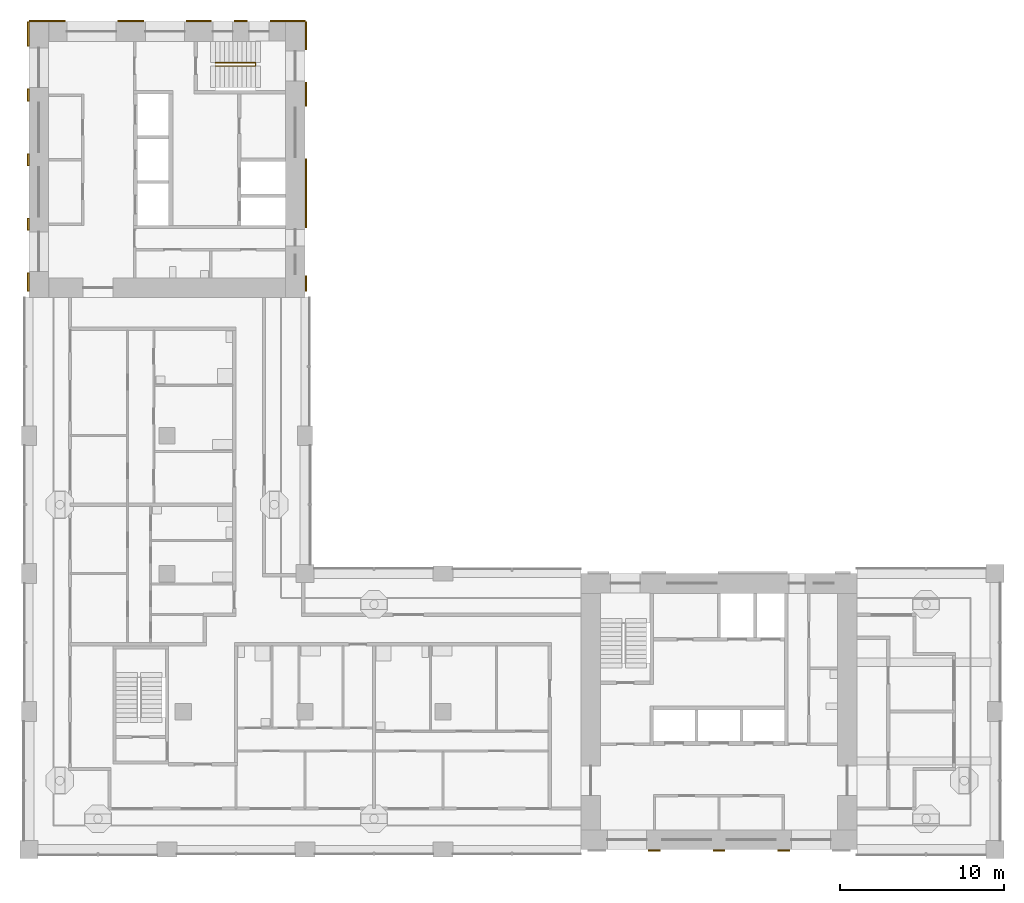
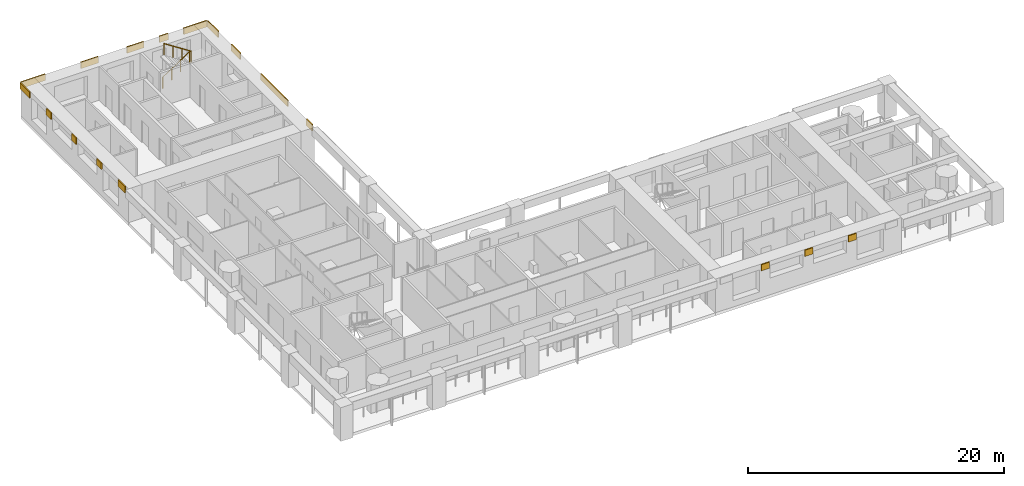
# One storey, part 10 of 13: 17 shading devices, 1 railing.
"""IFC4 building model written with IfcOpenShell, lengths in metres."""

from ifc_helpers import new_model, si_unit, direction, frame, origin, origin_2d, place, context, subcontext, project, spatial, rectangle, circle, extrude, material, layer, layer_set, type_object, element, save


model = new_model("IFC4")

# Units and contexts
model_context = context("Model", 3, precision=1e-05, world=origin(), true_north=direction((0.0, 1.0)))
body_context = subcontext(model_context, "Body", "Model", "MODEL_VIEW")
ifc_project = project(units=[si_unit("LENGTHUNIT", "METRE"), si_unit("AREAUNIT", "SQUARE_METRE"), si_unit("VOLUMEUNIT", "CUBIC_METRE"), si_unit("PLANEANGLEUNIT", "RADIAN"), si_unit("MASSUNIT", "GRAM", prefix="KILO")], contexts=[model_context])

# Site, building, storey
site_placement = place(None, origin())
site = spatial("IfcSite", under=ifc_project, at=site_placement, CompositionType="ELEMENT")
building_placement = place(site_placement, origin())
building = spatial("IfcBuilding", under=site, at=building_placement, Name="Vermilion Gate Residences", CompositionType="ELEMENT")
storey_placement = place(building_placement, frame((0.0, 0.0, 182.699951171875)))
storey = spatial("IfcBuildingStorey", under=building, at=storey_placement, Name="L47", CompositionType="ELEMENT", Elevation=182.699951171875)

# Railing
ifc_material_1 = material(Name="Steel S355", Category="steel")
railing_type = type_object("IfcRailingType", Name="STAIR GUARD 1100 STEEL", PredefinedType="GUARDRAIL", material=ifc_material_1)
railing_placement = place(storey_placement, frame((19.75, 56.300048828125, 0.175048828125)))
element("IfcRailing", 1, at=railing_placement, inside=storey, type_object=railing_type, Name="Stair well guard STB1-47", PredefinedType="GUARDRAIL", context=body_context, shape_type="SweptSolid", body=[
    extrude(circle(Radius=0.02392578125, at=origin_2d()), frame((0.0, 0.0, 1.076171875), z_axis=(0.839153699163, 0.0, 0.543894354798), x_axis=(0.0, 1.0, 0.0)), (0.0, 0.0, 1.0), 2.895751953125),
    extrude(circle(Radius=0.02392578125, at=origin_2d()), frame((2.429931640625, 0.0, 2.65087890625), z_axis=(0.0, -0.752405939678, 0.658699705433), x_axis=(1.0, 0.0, 0.0)), (0.0, 0.0, 1.0), 0.265869140625),
    extrude(circle(Radius=0.02392578125, at=origin_2d()), frame((2.429931640625, -0.199951171875, 2.826171875), z_axis=(-0.839153699163, 0.0, 0.543894354798), x_axis=(0.0, -1.0, 0.0)), (0.0, 0.0, 1.0), 2.895751953125),
    extrude(circle(Radius=0.02099609375, at=origin_2d()), origin(), (0.0, 0.0, 1.0), 1.052001953125),
    extrude(circle(Radius=0.02099609375, at=origin_2d()), frame((0.81005859375, 0.0, 0.52490234375)), (0.0, 0.0, 1.0), 1.052001953125),
    extrude(circle(Radius=0.02099609375, at=origin_2d()), frame((1.619873046875, 0.0, 1.050048828125)), (0.0, 0.0, 1.0), 1.052001953125),
    extrude(circle(Radius=0.02099609375, at=origin_2d()), frame((2.429931640625, 0.0, 1.574951171875)), (0.0, 0.0, 1.0), 1.052001953125),
    extrude(circle(Radius=0.02099609375, at=origin_2d()), frame((2.429931640625, -0.199951171875, 1.75)), (0.0, 0.0, 1.0), 1.052001953125),
    extrude(circle(Radius=0.02099609375, at=origin_2d()), frame((1.619873046875, -0.199951171875, 2.27490234375)), (0.0, 0.0, 1.0), 1.052001953125),
    extrude(circle(Radius=0.02099609375, at=origin_2d()), frame((0.81005859375, -0.199951171875, 2.800048828125)), (0.0, 0.0, 1.0), 1.052001953125),
    extrude(circle(Radius=0.02099609375, at=origin_2d()), frame((0.0, -0.199951171875, 3.324951171875)), (0.0, 0.0, 1.0), 1.052001953125),
])

# Shading devices
ifc_material_2 = material(Name="Extruded terracotta", Category="masonry")
ifc_layer = layer(ifc_material_2, 0.10009765625)
ifc_layer_set = layer_set([ifc_layer], Name="TERRACOTTA SPANDREL BAND 600 X 100")
shading_device_type = type_object("IfcShadingDeviceType", Name="TERRACOTTA SPANDREL BAND 600 X 100", PredefinedType="USERDEFINED", material=ifc_layer_set)
shading_device_1_placement = place(storey_placement, frame((46.46875, 8.35009765625, 2.6201171875), z_axis=(0.0, 0.0, 1.0), x_axis=(1.0, 0.0, 0.0)))
element("IfcShadingDevice", 2, at=shading_device_1_placement, inside=storey, type_object=shading_device_type, Name="SPANDREL BAND", ObjectType="BAND", PredefinedType="USERDEFINED", context=body_context, shape_type="SweptSolid", body=[
    extrude(rectangle(XDim=0.737548828125, YDim=0.10009765625, at=origin_2d()), origin(), (0.0, 0.0, 1.0), 0.60009765625),
])
shading_device_2_placement = place(storey_placement, frame((50.39990234375, 8.35009765625, 2.6201171875), z_axis=(0.0, 0.0, 1.0), x_axis=(1.0, 0.0, 0.0)))
element("IfcShadingDevice", 3, at=shading_device_2_placement, inside=storey, type_object=shading_device_type, Name="SPANDREL BAND", ObjectType="BAND", PredefinedType="USERDEFINED", context=body_context, shape_type="SweptSolid", body=[
    extrude(rectangle(XDim=0.72509765625, YDim=0.10009765625, at=origin_2d()), origin(), (0.0, 0.0, 1.0), 0.60009765625),
])
shading_device_3_placement = place(storey_placement, frame((54.331298828125, 8.35009765625, 2.6201171875), z_axis=(0.0, 0.0, 1.0), x_axis=(1.0, 0.0, 0.0)))
element("IfcShadingDevice", 4, at=shading_device_3_placement, inside=storey, type_object=shading_device_type, Name="SPANDREL BAND", ObjectType="BAND", PredefinedType="USERDEFINED", context=body_context, shape_type="SweptSolid", body=[
    extrude(rectangle(XDim=0.737548828125, YDim=0.10009765625, at=origin_2d()), origin(), (0.0, 0.0, 1.0), 0.60009765625),
])
shading_device_4_placement = place(storey_placement, frame((9.50244140625, 58.85009765625, 2.6201171875), z_axis=(0.0, 0.0, 1.0), x_axis=(1.0, 0.0, 0.0)))
element("IfcShadingDevice", 5, at=shading_device_4_placement, inside=storey, type_object=shading_device_type, Name="SPANDREL BAND", ObjectType="BAND", PredefinedType="USERDEFINED", context=body_context, shape_type="SweptSolid", body=[
    extrude(rectangle(XDim=2.205078125, YDim=0.10009765625, at=origin_2d()), origin(), (0.0, 0.0, 1.0), 0.60009765625),
])
shading_device_5_placement = place(storey_placement, frame((14.590087890625, 58.85009765625, 2.6201171875), z_axis=(0.0, 0.0, 1.0), x_axis=(1.0, 0.0, 0.0)))
element("IfcShadingDevice", 6, at=shading_device_5_placement, inside=storey, type_object=shading_device_type, Name="SPANDREL BAND", ObjectType="BAND", PredefinedType="USERDEFINED", context=body_context, shape_type="SweptSolid", body=[
    extrude(rectangle(XDim=1.570068359375, YDim=0.10009765625, at=origin_2d()), origin(), (0.0, 0.0, 1.0), 0.60009765625),
])
shading_device_6_placement = place(storey_placement, frame((18.734130859375, 58.85009765625, 2.6201171875), z_axis=(0.0, 0.0, 1.0), x_axis=(1.0, 0.0, 0.0)))
element("IfcShadingDevice", 7, at=shading_device_6_placement, inside=storey, type_object=shading_device_type, Name="SPANDREL BAND", ObjectType="BAND", PredefinedType="USERDEFINED", context=body_context, shape_type="SweptSolid", body=[
    extrude(rectangle(XDim=1.518310546875, YDim=0.10009765625, at=origin_2d()), origin(), (0.0, 0.0, 1.0), 0.60009765625),
])
shading_device_7_placement = place(storey_placement, frame((21.294921875, 58.85009765625, 2.6201171875), z_axis=(0.0, 0.0, 1.0), x_axis=(1.0, 0.0, 0.0)))
element("IfcShadingDevice", 8, at=shading_device_7_placement, inside=storey, type_object=shading_device_type, Name="SPANDREL BAND", ObjectType="BAND", PredefinedType="USERDEFINED", context=body_context, shape_type="SweptSolid", body=[
    extrude(rectangle(XDim=0.803466796875, YDim=0.10009765625, at=origin_2d()), origin(), (0.0, 0.0, 1.0), 0.60009765625),
])
shading_device_8_placement = place(storey_placement, frame((24.1484375, 58.85009765625, 2.6201171875), z_axis=(0.0, 0.0, 1.0), x_axis=(1.0, 0.0, 0.0)))
element("IfcShadingDevice", 9, at=shading_device_8_placement, inside=storey, type_object=shading_device_type, Name="SPANDREL BAND", ObjectType="BAND", PredefinedType="USERDEFINED", context=body_context, shape_type="SweptSolid", body=[
    extrude(rectangle(XDim=2.103271484375, YDim=0.10009765625, at=origin_2d()), origin(), (0.0, 0.0, 1.0), 0.60009765625),
])
shading_device_9_placement = place(storey_placement, frame((8.35009765625, 42.949951171875, 2.6201171875), z_axis=(0.0, 0.0, 1.0), x_axis=(0.0, 1.0, 0.0)))
element("IfcShadingDevice", 10, at=shading_device_9_placement, inside=storey, type_object=shading_device_type, Name="SPANDREL BAND", ObjectType="BAND", PredefinedType="USERDEFINED", context=body_context, shape_type="SweptSolid", body=[
    extrude(rectangle(XDim=1.10009765625, YDim=0.10009765625, at=origin_2d()), origin(), (0.0, 0.0, 1.0), 0.60009765625),
])
shading_device_10_placement = place(storey_placement, frame((8.35009765625, 46.46875, 2.6201171875), z_axis=(0.0, 0.0, 1.0), x_axis=(0.0, 1.0, 0.0)))
element("IfcShadingDevice", 11, at=shading_device_10_placement, inside=storey, type_object=shading_device_type, Name="SPANDREL BAND", ObjectType="BAND", PredefinedType="USERDEFINED", context=body_context, shape_type="SweptSolid", body=[
    extrude(rectangle(XDim=0.737548828125, YDim=0.10009765625, at=origin_2d()), origin(), (0.0, 0.0, 1.0), 0.60009765625),
])
shading_device_11_placement = place(storey_placement, frame((8.35009765625, 50.39990234375, 2.6201171875), z_axis=(0.0, 0.0, 1.0), x_axis=(0.0, 1.0, 0.0)))
element("IfcShadingDevice", 12, at=shading_device_11_placement, inside=storey, type_object=shading_device_type, Name="SPANDREL BAND", ObjectType="BAND", PredefinedType="USERDEFINED", context=body_context, shape_type="SweptSolid", body=[
    extrude(rectangle(XDim=0.72509765625, YDim=0.10009765625, at=origin_2d()), origin(), (0.0, 0.0, 1.0), 0.60009765625),
])
shading_device_12_placement = place(storey_placement, frame((8.35009765625, 54.331298828125, 2.6201171875), z_axis=(0.0, 0.0, 1.0), x_axis=(0.0, 1.0, 0.0)))
element("IfcShadingDevice", 13, at=shading_device_12_placement, inside=storey, type_object=shading_device_type, Name="SPANDREL BAND", ObjectType="BAND", PredefinedType="USERDEFINED", context=body_context, shape_type="SweptSolid", body=[
    extrude(rectangle(XDim=0.737548828125, YDim=0.10009765625, at=origin_2d()), origin(), (0.0, 0.0, 1.0), 0.60009765625),
])
shading_device_13_placement = place(storey_placement, frame((8.35009765625, 58.050048828125, 2.6201171875), z_axis=(0.0, 0.0, 1.0), x_axis=(0.0, 1.0, 0.0)))
element("IfcShadingDevice", 14, at=shading_device_13_placement, inside=storey, type_object=shading_device_type, Name="SPANDREL BAND", ObjectType="BAND", PredefinedType="USERDEFINED", context=body_context, shape_type="SweptSolid", body=[
    extrude(rectangle(XDim=1.5, YDim=0.10009765625, at=origin_2d()), origin(), (0.0, 0.0, 1.0), 0.60009765625),
])
shading_device_14_placement = place(storey_placement, frame((25.25, 42.862548828125, 2.6201171875), z_axis=(0.0, 0.0, 1.0), x_axis=(0.0, 1.0, 0.0)))
element("IfcShadingDevice", 15, at=shading_device_14_placement, inside=storey, type_object=shading_device_type, Name="SPANDREL BAND", ObjectType="BAND", PredefinedType="USERDEFINED", context=body_context, shape_type="SweptSolid", body=[
    extrude(rectangle(XDim=0.925048828125, YDim=0.10009765625, at=origin_2d()), origin(), (0.0, 0.0, 1.0), 0.60009765625),
])
shading_device_15_placement = place(storey_placement, frame((25.25, 48.35009765625, 2.6201171875), z_axis=(0.0, 0.0, 1.0), x_axis=(0.0, 1.0, 0.0)))
element("IfcShadingDevice", 16, at=shading_device_15_placement, inside=storey, type_object=shading_device_type, Name="SPANDREL BAND", ObjectType="BAND", PredefinedType="USERDEFINED", context=body_context, shape_type="SweptSolid", body=[
    extrude(rectangle(XDim=4.199951171875, YDim=0.10009765625, at=origin_2d()), origin(), (0.0, 0.0, 1.0), 0.60009765625),
])
shading_device_16_placement = place(storey_placement, frame((25.25, 54.375, 2.6201171875), z_axis=(0.0, 0.0, 1.0), x_axis=(0.0, 1.0, 0.0)))
element("IfcShadingDevice", 17, at=shading_device_16_placement, inside=storey, type_object=shading_device_type, Name="SPANDREL BAND", ObjectType="BAND", PredefinedType="USERDEFINED", context=body_context, shape_type="SweptSolid", body=[
    extrude(rectangle(XDim=1.449951171875, YDim=0.10009765625, at=origin_2d()), origin(), (0.0, 0.0, 1.0), 0.60009765625),
])
shading_device_17_placement = place(storey_placement, frame((25.25, 57.949951171875, 2.6201171875), z_axis=(0.0, 0.0, 1.0), x_axis=(0.0, 1.0, 0.0)))
element("IfcShadingDevice", 18, at=shading_device_17_placement, inside=storey, type_object=shading_device_type, Name="SPANDREL BAND", ObjectType="BAND", PredefinedType="USERDEFINED", context=body_context, shape_type="SweptSolid", body=[
    extrude(rectangle(XDim=1.699951171875, YDim=0.10009765625, at=origin_2d()), origin(), (0.0, 0.0, 1.0), 0.60009765625),
])

save(model, "model.ifc")
